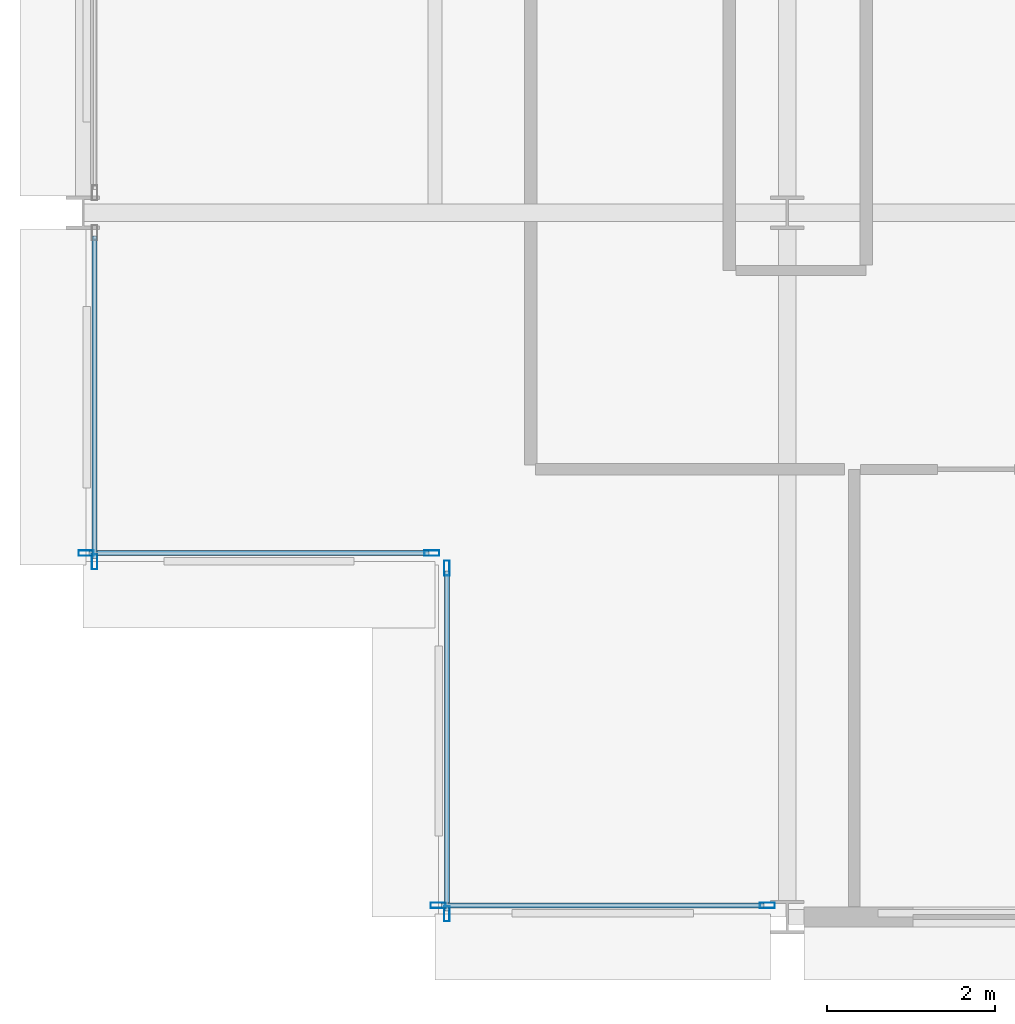
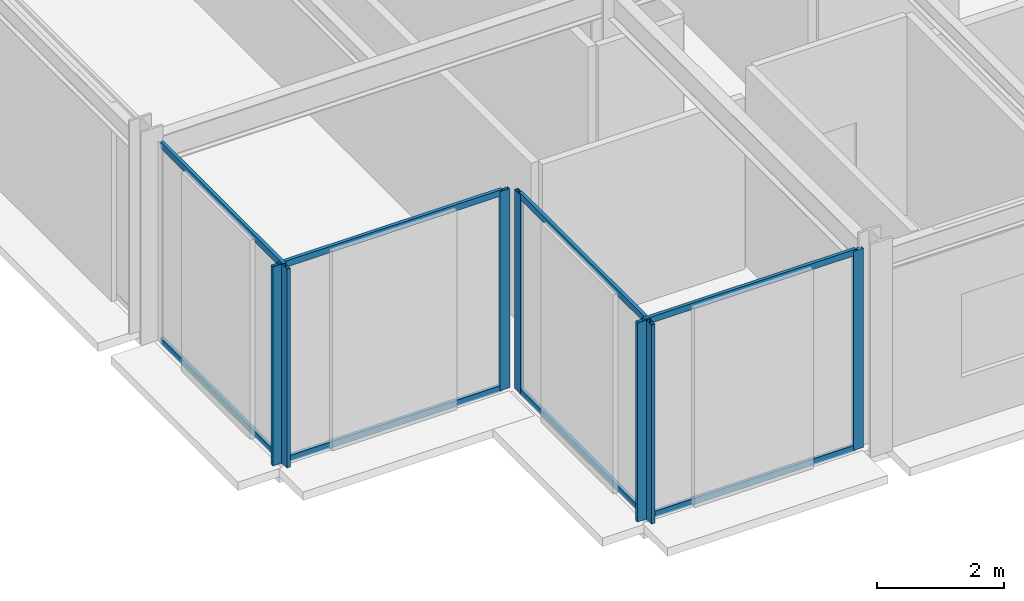
# One storey, part 2 of 30: 15 members, 4 elements without a shape of their own.
"""IFC4 building model written with IfcOpenShell, lengths in metres."""

from ifc_helpers import new_model, si_unit, direction, frame, origin, origin_2d, place, context, subcontext, project, spatial, hollow_rectangle, extrude, material, layer, layer_set, material_profile, profile_set, type_object, element, aggregate, save


model = new_model("IFC4")

# Units and contexts
model_context = context("Model", 3, precision=1e-05, world=origin(), true_north=direction((0.0, 1.0)))
body_context = subcontext(model_context, "Body", "Model", "MODEL_VIEW")
ifc_project = project(units=[si_unit("LENGTHUNIT", "METRE"), si_unit("AREAUNIT", "SQUARE_METRE"), si_unit("VOLUMEUNIT", "CUBIC_METRE"), si_unit("PLANEANGLEUNIT", "RADIAN"), si_unit("MASSUNIT", "GRAM", prefix="KILO")], contexts=[model_context])

# Site, building, storey
site_placement = place(None, origin())
site = spatial("IfcSite", under=ifc_project, at=site_placement, CompositionType="ELEMENT")
building_placement = place(site_placement, origin())
building = spatial("IfcBuilding", under=site, at=building_placement, Name="Nerrivon Quay Data Exchange", CompositionType="ELEMENT")
storey_placement = place(building_placement, frame((0.0, 0.0, 154.10009765625)))
storey = spatial("IfcBuildingStorey", under=building, at=storey_placement, Name="L36", CompositionType="ELEMENT", Elevation=154.10009765625)

# Curtain wall, members
ifc_material = material(Name="Anodised aluminium 6063-T6", Category="aluminium")
ifc_layer = layer(ifc_material, 0.2099609375)
ifc_layer_set = layer_set([ifc_layer], Name="Anodised aluminium 6063-T6")
curtain_wall_type = type_object("IfcCurtainWallType", Name="CW-SYS-02", PredefinedType="NOTDEFINED", material=ifc_layer_set)
curtain_wall_1_placement = place(storey_placement, origin())
curtain_wall_1 = element("IfcCurtainWall", 1, at=curtain_wall_1_placement, inside=storey, type_object=curtain_wall_type, Name="L36 Unitised Curtain Wall 8", PredefinedType="NOTDEFINED")
ifc_material_profile_1 = material_profile(ifc_material, hollow_rectangle(XDim=0.06494140625, YDim=0.179931640625, WallThickness=0.00341796875, at=origin_2d()), Name="ALU-MULL-180x65")
ifc_profile_set_1 = profile_set([ifc_material_profile_1], Name="Anodised aluminium 6063-T6")
member_type_1 = type_object("IfcMemberType", Name="CWM-180x65", PredefinedType="MULLION", material=ifc_profile_set_1)
member_1_placement = place(storey_placement, frame((8.16259765625, 0.139892578125, 0.0), z_axis=(0.0, 0.0, 1.0), x_axis=(0.0, -1.0, 0.0)))
member_1 = element("IfcMember", 2, at=member_1_placement, type_object=member_type_1, Name="CW02 mullion 1", PredefinedType="MULLION", context=body_context, shape_type="SweptSolid", body=[
    extrude(hollow_rectangle(XDim=0.06494140625, YDim=0.179931640625, WallThickness=0.00341796875, at=origin_2d()), origin(), (0.0, 0.0, 1.0), 3.824951171875),
])
member_2_placement = place(storey_placement, frame((4.237548828125, 0.139892578125, 0.0), z_axis=(0.0, 0.0, 1.0), x_axis=(0.0, -1.0, 0.0)))
member_2 = element("IfcMember", 3, at=member_2_placement, type_object=member_type_1, Name="CW02 mullion 2", PredefinedType="MULLION", context=body_context, shape_type="SweptSolid", body=[
    extrude(hollow_rectangle(XDim=0.06494140625, YDim=0.179931640625, WallThickness=0.00341796875, at=origin_2d()), origin(), (0.0, 0.0, 1.0), 3.824951171875),
])

curtain_wall_2_placement = place(storey_placement, origin())
curtain_wall_2 = element("IfcCurtainWall", 4, at=curtain_wall_2_placement, inside=storey, type_object=curtain_wall_type, Name="L36 Unitised Curtain Wall 9", PredefinedType="NOTDEFINED")
member_3_placement = place(storey_placement, frame((4.340087890625, 0.03759765625, 0.0), z_axis=(0.0, 0.0, 1.0), x_axis=(-1.0, 0.0, 0.0)))
member_3 = element("IfcMember", 5, at=member_3_placement, type_object=member_type_1, Name="CW02 mullion 1", PredefinedType="MULLION", context=body_context, shape_type="SweptSolid", body=[
    extrude(hollow_rectangle(XDim=0.06494140625, YDim=0.179931640625, WallThickness=0.00341796875, at=origin_2d()), origin(), (0.0, 0.0, 1.0), 3.824951171875),
])
member_4_placement = place(storey_placement, frame((4.340087890625, 4.16259765625, 0.0), z_axis=(0.0, 0.0, 1.0), x_axis=(-1.0, 0.0, 0.0)))
member_4 = element("IfcMember", 6, at=member_4_placement, type_object=member_type_1, Name="CW02 mullion 2", PredefinedType="MULLION", context=body_context, shape_type="SweptSolid", body=[
    extrude(hollow_rectangle(XDim=0.06494140625, YDim=0.179931640625, WallThickness=0.00341796875, at=origin_2d()), origin(), (0.0, 0.0, 1.0), 3.824951171875),
])

curtain_wall_3_placement = place(storey_placement, origin())
curtain_wall_3 = element("IfcCurtainWall", 7, at=curtain_wall_3_placement, inside=storey, type_object=curtain_wall_type, Name="L36 Unitised Curtain Wall 10", PredefinedType="NOTDEFINED")
member_5_placement = place(storey_placement, frame((4.16259765625, 4.340087890625, 0.0), z_axis=(0.0, 0.0, 1.0), x_axis=(0.0, -1.0, 0.0)))
member_5 = element("IfcMember", 8, at=member_5_placement, type_object=member_type_1, Name="CW02 mullion 1", PredefinedType="MULLION", context=body_context, shape_type="SweptSolid", body=[
    extrude(hollow_rectangle(XDim=0.06494140625, YDim=0.179931640625, WallThickness=0.00341796875, at=origin_2d()), origin(), (0.0, 0.0, 1.0), 3.824951171875),
])
member_6_placement = place(storey_placement, frame((0.03759765625, 4.340087890625, 0.0), z_axis=(0.0, 0.0, 1.0), x_axis=(0.0, -1.0, 0.0)))
member_6 = element("IfcMember", 9, at=member_6_placement, type_object=member_type_1, Name="CW02 mullion 2", PredefinedType="MULLION", context=body_context, shape_type="SweptSolid", body=[
    extrude(hollow_rectangle(XDim=0.06494140625, YDim=0.179931640625, WallThickness=0.00341796875, at=origin_2d()), origin(), (0.0, 0.0, 1.0), 3.824951171875),
])

# Curtain wall, member
curtain_wall_4_placement = place(storey_placement, origin())
curtain_wall_4 = element("IfcCurtainWall", 10, at=curtain_wall_4_placement, inside=storey, type_object=curtain_wall_type, Name="L36 Unitised Curtain Wall 11", PredefinedType="NOTDEFINED")
member_7_placement = place(storey_placement, frame((0.139892578125, 4.237548828125, 0.0), z_axis=(0.0, 0.0, 1.0), x_axis=(-1.0, 0.0, 0.0)))
member_7 = element("IfcMember", 11, at=member_7_placement, type_object=member_type_1, Name="CW02 mullion 1", PredefinedType="MULLION", context=body_context, shape_type="SweptSolid", body=[
    extrude(hollow_rectangle(XDim=0.06494140625, YDim=0.179931640625, WallThickness=0.00341796875, at=origin_2d()), origin(), (0.0, 0.0, 1.0), 3.824951171875),
])

# Member
ifc_material_profile_2 = material_profile(ifc_material, hollow_rectangle(XDim=0.06005859375, YDim=0.1201171875, WallThickness=0.003173828125, at=origin_2d()), Name="ALU-TRAN-120x60")
ifc_profile_set_2 = profile_set([ifc_material_profile_2], Name="Anodised aluminium 6063-T6")
member_type_2 = type_object("IfcMemberType", Name="CWT-120x60", PredefinedType="USERDEFINED", material=ifc_profile_set_2)
member_8_placement = place(storey_placement, frame((8.125, 0.139892578125, 0.032470703125), z_axis=(-1.0, 0.0, 0.0), x_axis=(0.0, -1.0, 0.0)))
member_8 = element("IfcMember", 12, at=member_8_placement, type_object=member_type_2, Name="CW02 transom 1.1", ObjectType="TRANSOM", PredefinedType="USERDEFINED", context=body_context, shape_type="SweptSolid", body=[
    extrude(hollow_rectangle(XDim=0.06005859375, YDim=0.1201171875, WallThickness=0.003173828125, at=origin_2d()), origin(), (0.0, 0.0, 1.0), 3.85009765625),
])

member_9_placement = place(storey_placement, frame((8.125, 0.139892578125, 3.79248046875), z_axis=(-1.0, 0.0, 0.0), x_axis=(0.0, -1.0, 0.0)))
member_9 = element("IfcMember", 13, at=member_9_placement, type_object=member_type_2, Name="CW02 transom 1.2", ObjectType="TRANSOM", PredefinedType="USERDEFINED", context=body_context, shape_type="SweptSolid", body=[
    extrude(hollow_rectangle(XDim=0.06005859375, YDim=0.1201171875, WallThickness=0.003173828125, at=origin_2d()), origin(), (0.0, 0.0, 1.0), 3.85009765625),
])

aggregate(curtain_wall_1, [member_1, member_2, member_8, member_9])

member_10_placement = place(storey_placement, frame((4.340087890625, 0.074951171875, 0.032470703125), z_axis=(0.0, 1.0, 0.0), x_axis=(-1.0, 0.0, 0.0)))
member_10 = element("IfcMember", 14, at=member_10_placement, type_object=member_type_2, Name="CW02 transom 1.1", ObjectType="TRANSOM", PredefinedType="USERDEFINED", context=body_context, shape_type="SweptSolid", body=[
    extrude(hollow_rectangle(XDim=0.06005859375, YDim=0.1201171875, WallThickness=0.003173828125, at=origin_2d()), origin(), (0.0, 0.0, 1.0), 4.050048828125),
])

member_11_placement = place(storey_placement, frame((4.340087890625, 0.074951171875, 3.79248046875), z_axis=(0.0, 1.0, 0.0), x_axis=(-1.0, 0.0, 0.0)))
member_11 = element("IfcMember", 15, at=member_11_placement, type_object=member_type_2, Name="CW02 transom 1.2", ObjectType="TRANSOM", PredefinedType="USERDEFINED", context=body_context, shape_type="SweptSolid", body=[
    extrude(hollow_rectangle(XDim=0.06005859375, YDim=0.1201171875, WallThickness=0.003173828125, at=origin_2d()), origin(), (0.0, 0.0, 1.0), 4.050048828125),
])

aggregate(curtain_wall_2, [member_3, member_4, member_10, member_11])

member_12_placement = place(storey_placement, frame((4.125, 4.340087890625, 0.032470703125), z_axis=(-1.0, 0.0, 0.0), x_axis=(0.0, -1.0, 0.0)))
member_12 = element("IfcMember", 16, at=member_12_placement, type_object=member_type_2, Name="CW02 transom 1.1", ObjectType="TRANSOM", PredefinedType="USERDEFINED", context=body_context, shape_type="SweptSolid", body=[
    extrude(hollow_rectangle(XDim=0.06005859375, YDim=0.1201171875, WallThickness=0.003173828125, at=origin_2d()), origin(), (0.0, 0.0, 1.0), 4.050048828125),
])

member_13_placement = place(storey_placement, frame((4.125, 4.340087890625, 3.79248046875), z_axis=(-1.0, 0.0, 0.0), x_axis=(0.0, -1.0, 0.0)))
member_13 = element("IfcMember", 17, at=member_13_placement, type_object=member_type_2, Name="CW02 transom 1.2", ObjectType="TRANSOM", PredefinedType="USERDEFINED", context=body_context, shape_type="SweptSolid", body=[
    extrude(hollow_rectangle(XDim=0.06005859375, YDim=0.1201171875, WallThickness=0.003173828125, at=origin_2d()), origin(), (0.0, 0.0, 1.0), 4.050048828125),
])

aggregate(curtain_wall_3, [member_5, member_6, member_12, member_13])

member_14_placement = place(storey_placement, frame((0.139892578125, 4.27490234375, 0.032470703125), z_axis=(0.0, 1.0, 0.0), x_axis=(-1.0, 0.0, 0.0)))
member_14 = element("IfcMember", 18, at=member_14_placement, type_object=member_type_2, Name="CW02 transom 1.1", ObjectType="TRANSOM", PredefinedType="USERDEFINED", context=body_context, shape_type="SweptSolid", body=[
    extrude(hollow_rectangle(XDim=0.06005859375, YDim=0.1201171875, WallThickness=0.003173828125, at=origin_2d()), origin(), (0.0, 0.0, 1.0), 3.85009765625),
])

member_15_placement = place(storey_placement, frame((0.139892578125, 4.27490234375, 3.79248046875), z_axis=(0.0, 1.0, 0.0), x_axis=(-1.0, 0.0, 0.0)))
member_15 = element("IfcMember", 19, at=member_15_placement, type_object=member_type_2, Name="CW02 transom 1.2", ObjectType="TRANSOM", PredefinedType="USERDEFINED", context=body_context, shape_type="SweptSolid", body=[
    extrude(hollow_rectangle(XDim=0.06005859375, YDim=0.1201171875, WallThickness=0.003173828125, at=origin_2d()), origin(), (0.0, 0.0, 1.0), 3.85009765625),
])

aggregate(curtain_wall_4, [member_7, member_14, member_15])

save(model, "model.ifc")
